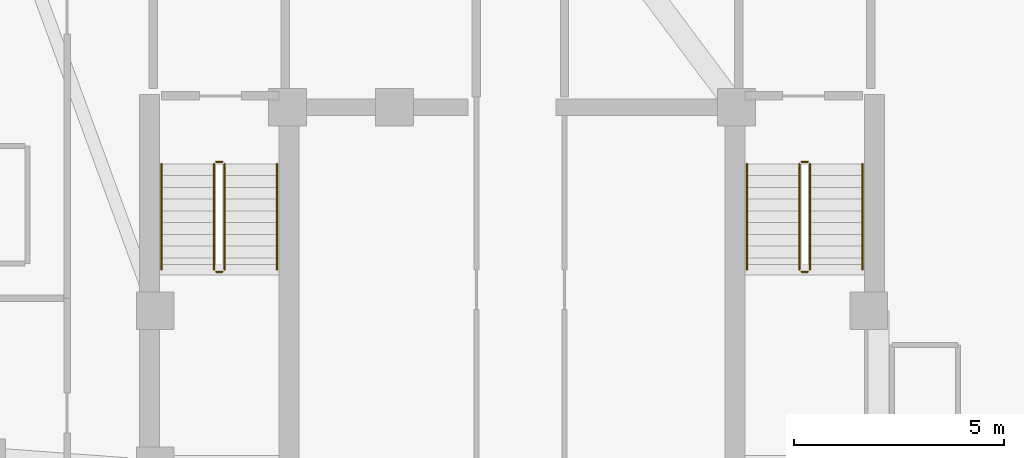
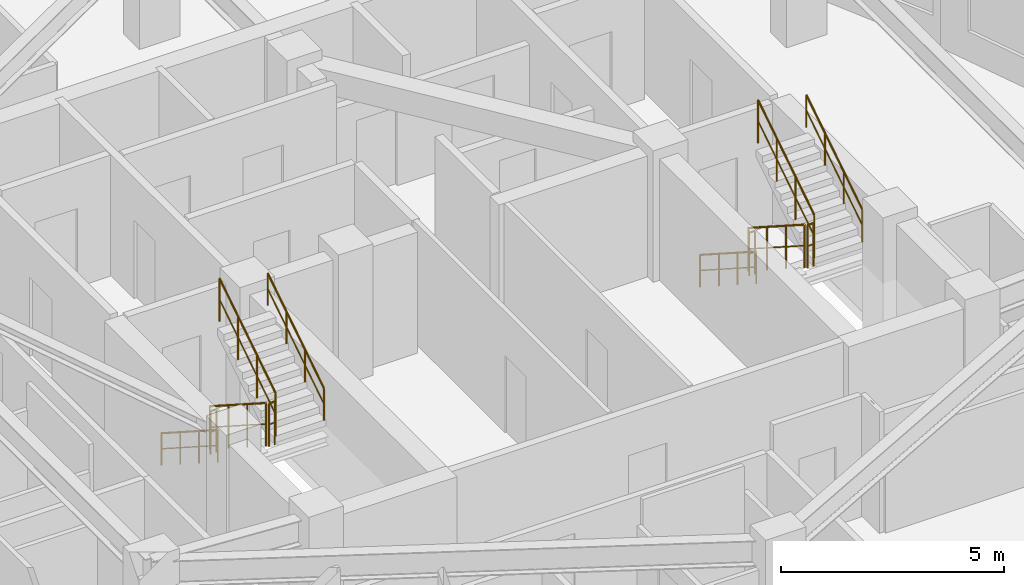
# One storey, part 12 of 12: 12 railings.
"""IFC4 building model written with IfcOpenShell, lengths in metres."""

from ifc_helpers import new_model, si_unit, direction, frame, origin, origin_2d, place, context, subcontext, project, spatial, circle, extrude, material, type_object, element, save


model = new_model("IFC4")

# Units and contexts
model_context = context("Model", 3, precision=1e-05, world=origin(), true_north=direction((0.0, 1.0)))
body_context = subcontext(model_context, "Body", "Model", "MODEL_VIEW")
ifc_project = project(units=[si_unit("LENGTHUNIT", "METRE"), si_unit("AREAUNIT", "SQUARE_METRE"), si_unit("VOLUMEUNIT", "CUBIC_METRE"), si_unit("PLANEANGLEUNIT", "RADIAN"), si_unit("MASSUNIT", "GRAM", prefix="KILO")], contexts=[model_context])

# Site, building, storey
site_placement = place(None, origin())
site = spatial("IfcSite", under=ifc_project, at=site_placement, CompositionType="ELEMENT")
building_placement = place(site_placement, origin())
building = spatial("IfcBuilding", under=site, at=building_placement, Name="Miruveldt Soraemaru", CompositionType="ELEMENT")
storey_placement = place(building_placement, frame((0.0, 0.0, 248.39990234375)))
storey = spatial("IfcBuildingStorey", under=building, at=storey_placement, Name="L68", CompositionType="ELEMENT", Elevation=248.39990234375)

# Railings
ifc_material = material(Name="Steel S355 (355 MPa)", Category="steel")
railing_type_1 = type_object("IfcRailingType", Name="RAIL-HR-900", PredefinedType="HANDRAIL", material=ifc_material)
railing_1_placement = place(storey_placement, frame((35.64990234375, 42.699951171875, 0.18017578125)))
element("IfcRailing", 1, at=railing_1_placement, inside=storey, type_object=railing_type_1, Name="L68 ST-1 stair handrail 1", PredefinedType="HANDRAIL", context=body_context, shape_type="SweptSolid", body=[
    extrude(circle(Radius=0.02392578125, at=origin_2d()), frame((0.0, 0.0, 0.8759765625), z_axis=(0.0, -0.841199657755, 0.540724639528), x_axis=(1.0, 0.0, 0.0)), (0.0, 0.0, 1.0), 2.995849609375),
    extrude(circle(Radius=0.01611328125, at=origin_2d()), frame((0.0, 0.0, 0.449951171875), z_axis=(0.0, -0.841199657755, 0.540724639528), x_axis=(1.0, 0.0, 0.0)), (0.0, 0.0, 1.0), 2.995849609375),
    extrude(circle(Radius=0.02099609375, at=origin_2d()), origin(), (0.0, 0.0, 1.0), 0.851806640625),
    extrude(circle(Radius=0.02099609375, at=origin_2d()), frame((0.0, -0.840087890625, 0.5400390625)), (0.0, 0.0, 1.0), 0.851806640625),
    extrude(circle(Radius=0.02099609375, at=origin_2d()), frame((0.0, -1.679931640625, 1.079833984375)), (0.0, 0.0, 1.0), 0.851806640625),
    extrude(circle(Radius=0.02099609375, at=origin_2d()), frame((0.0, -2.52001953125, 1.619873046875)), (0.0, 0.0, 1.0), 0.851806640625),
])
railing_2_placement = place(storey_placement, frame((38.39990234375, 40.179931640625, 1.97998046875)))
element("IfcRailing", 2, at=railing_2_placement, inside=storey, type_object=railing_type_1, Name="L68 ST-1 stair handrail 2", PredefinedType="HANDRAIL", context=body_context, shape_type="SweptSolid", body=[
    extrude(circle(Radius=0.02392578125, at=origin_2d()), frame((0.0, 0.0, 0.8759765625), z_axis=(0.0, 0.841162588446, 0.540782303519), x_axis=(-1.0, 0.0, 0.0)), (0.0, 0.0, 1.0), 2.995849609375),
    extrude(circle(Radius=0.01611328125, at=origin_2d()), frame((0.0, 0.0, 0.449951171875), z_axis=(0.0, 0.841162588446, 0.540782303519), x_axis=(-1.0, 0.0, 0.0)), (0.0, 0.0, 1.0), 2.995849609375),
    extrude(circle(Radius=0.02099609375, at=origin_2d()), origin(), (0.0, 0.0, 1.0), 0.851806640625),
    extrude(circle(Radius=0.02099609375, at=origin_2d()), frame((0.0, 0.840087890625, 0.5400390625)), (0.0, 0.0, 1.0), 0.851806640625),
    extrude(circle(Radius=0.02099609375, at=origin_2d()), frame((0.0, 1.679931640625, 1.080078125)), (0.0, 0.0, 1.0), 0.851806640625),
    extrude(circle(Radius=0.02099609375, at=origin_2d()), frame((0.0, 2.52001953125, 1.6201171875)), (0.0, 0.0, 1.0), 0.851806640625),
])
railing_3_placement = place(storey_placement, frame((49.60009765625, 42.699951171875, 0.18017578125)))
element("IfcRailing", 3, at=railing_3_placement, inside=storey, type_object=railing_type_1, Name="L68 ST-2 stair handrail 1", PredefinedType="HANDRAIL", context=body_context, shape_type="SweptSolid", body=[
    extrude(circle(Radius=0.02392578125, at=origin_2d()), frame((0.0, 0.0, 0.8759765625), z_axis=(0.0, -0.841199657755, 0.540724639528), x_axis=(1.0, 0.0, 0.0)), (0.0, 0.0, 1.0), 2.995849609375),
    extrude(circle(Radius=0.01611328125, at=origin_2d()), frame((0.0, 0.0, 0.449951171875), z_axis=(0.0, -0.841199657755, 0.540724639528), x_axis=(1.0, 0.0, 0.0)), (0.0, 0.0, 1.0), 2.995849609375),
    extrude(circle(Radius=0.02099609375, at=origin_2d()), origin(), (0.0, 0.0, 1.0), 0.851806640625),
    extrude(circle(Radius=0.02099609375, at=origin_2d()), frame((0.0, -0.840087890625, 0.5400390625)), (0.0, 0.0, 1.0), 0.851806640625),
    extrude(circle(Radius=0.02099609375, at=origin_2d()), frame((0.0, -1.679931640625, 1.079833984375)), (0.0, 0.0, 1.0), 0.851806640625),
    extrude(circle(Radius=0.02099609375, at=origin_2d()), frame((0.0, -2.52001953125, 1.619873046875)), (0.0, 0.0, 1.0), 0.851806640625),
])
railing_4_placement = place(storey_placement, frame((52.35009765625, 40.179931640625, 1.97998046875)))
element("IfcRailing", 4, at=railing_4_placement, inside=storey, type_object=railing_type_1, Name="L68 ST-2 stair handrail 2", PredefinedType="HANDRAIL", context=body_context, shape_type="SweptSolid", body=[
    extrude(circle(Radius=0.02392578125, at=origin_2d()), frame((0.0, 0.0, 0.8759765625), z_axis=(0.0, 0.841162588446, 0.540782303519), x_axis=(-1.0, 0.0, 0.0)), (0.0, 0.0, 1.0), 2.995849609375),
    extrude(circle(Radius=0.01611328125, at=origin_2d()), frame((0.0, 0.0, 0.449951171875), z_axis=(0.0, 0.841162588446, 0.540782303519), x_axis=(-1.0, 0.0, 0.0)), (0.0, 0.0, 1.0), 2.995849609375),
    extrude(circle(Radius=0.02099609375, at=origin_2d()), origin(), (0.0, 0.0, 1.0), 0.851806640625),
    extrude(circle(Radius=0.02099609375, at=origin_2d()), frame((0.0, 0.840087890625, 0.5400390625)), (0.0, 0.0, 1.0), 0.851806640625),
    extrude(circle(Radius=0.02099609375, at=origin_2d()), frame((0.0, 1.679931640625, 1.080078125)), (0.0, 0.0, 1.0), 0.851806640625),
    extrude(circle(Radius=0.02099609375, at=origin_2d()), frame((0.0, 2.52001953125, 1.6201171875)), (0.0, 0.0, 1.0), 0.851806640625),
])
railing_type_2 = type_object("IfcRailingType", Name="RAIL-STGUARD-1200", PredefinedType="GUARDRAIL", material=ifc_material)
railing_5_placement = place(storey_placement, frame((36.89990234375, 42.699951171875, 0.18017578125)))
element("IfcRailing", 5, at=railing_5_placement, inside=storey, type_object=railing_type_2, Name="L68 ST-1 stair guard 1", PredefinedType="GUARDRAIL", context=body_context, shape_type="SweptSolid", body=[
    extrude(circle(Radius=0.02392578125, at=origin_2d()), frame((0.0, 0.0, 1.17578125), z_axis=(0.0, -0.841199657755, 0.540724639528), x_axis=(1.0, 0.0, 0.0)), (0.0, 0.0, 1.0), 2.995849609375),
    extrude(circle(Radius=0.01611328125, at=origin_2d()), frame((0.0, 0.0, 0.60009765625), z_axis=(0.0, -0.841199657755, 0.540724639528), x_axis=(1.0, 0.0, 0.0)), (0.0, 0.0, 1.0), 2.995849609375),
    extrude(circle(Radius=0.02099609375, at=origin_2d()), origin(), (0.0, 0.0, 1.0), 1.15185546875),
    extrude(circle(Radius=0.02099609375, at=origin_2d()), frame((0.0, -0.840087890625, 0.5400390625)), (0.0, 0.0, 1.0), 1.15185546875),
    extrude(circle(Radius=0.02099609375, at=origin_2d()), frame((0.0, -1.679931640625, 1.079833984375)), (0.0, 0.0, 1.0), 1.15185546875),
    extrude(circle(Radius=0.02099609375, at=origin_2d()), frame((0.0, -2.52001953125, 1.619873046875)), (0.0, 0.0, 1.0), 1.15185546875),
])
railing_6_placement = place(storey_placement, frame((36.949951171875, 40.1298828125, 1.800048828125)))
element("IfcRailing", 6, at=railing_6_placement, inside=storey, type_object=railing_type_2, Name="L68 ST-1 stair guard 2", PredefinedType="GUARDRAIL", context=body_context, shape_type="SweptSolid", body=[
    extrude(circle(Radius=0.02392578125, at=origin_2d()), frame((0.0, 0.0, 1.17578125), z_axis=(1.0, 0.0, 0.0), x_axis=(0.0, 1.0, 0.0)), (0.0, 0.0, 1.0), 0.150146484375),
    extrude(circle(Radius=0.01611328125, at=origin_2d()), frame((0.0, 0.0, 0.60009765625), z_axis=(1.0, 0.0, 0.0), x_axis=(0.0, 1.0, 0.0)), (0.0, 0.0, 1.0), 0.150146484375),
    extrude(circle(Radius=0.02099609375, at=origin_2d()), origin(), (0.0, 0.0, 1.0), 1.15185546875),
    extrude(circle(Radius=0.02099609375, at=origin_2d()), frame((0.150146484375, 0.0, 0.0)), (0.0, 0.0, 1.0), 1.15185546875),
])
railing_7_placement = place(storey_placement, frame((37.14990234375, 40.179931640625, 1.97998046875)))
element("IfcRailing", 7, at=railing_7_placement, inside=storey, type_object=railing_type_2, Name="L68 ST-1 stair guard 3", PredefinedType="GUARDRAIL", context=body_context, shape_type="SweptSolid", body=[
    extrude(circle(Radius=0.02392578125, at=origin_2d()), frame((0.0, 0.0, 1.17578125), z_axis=(0.0, 0.841162588446, 0.540782303519), x_axis=(-1.0, 0.0, 0.0)), (0.0, 0.0, 1.0), 2.995849609375),
    extrude(circle(Radius=0.01611328125, at=origin_2d()), frame((0.0, 0.0, 0.60009765625), z_axis=(0.0, 0.841162588446, 0.540782303519), x_axis=(-1.0, 0.0, 0.0)), (0.0, 0.0, 1.0), 2.995849609375),
    extrude(circle(Radius=0.02099609375, at=origin_2d()), origin(), (0.0, 0.0, 1.0), 1.15185546875),
    extrude(circle(Radius=0.02099609375, at=origin_2d()), frame((0.0, 0.840087890625, 0.5400390625)), (0.0, 0.0, 1.0), 1.15185546875),
    extrude(circle(Radius=0.02099609375, at=origin_2d()), frame((0.0, 1.679931640625, 1.080078125)), (0.0, 0.0, 1.0), 1.15185546875),
    extrude(circle(Radius=0.02099609375, at=origin_2d()), frame((0.0, 2.52001953125, 1.6201171875)), (0.0, 0.0, 1.0), 1.15185546875),
])
railing_8_placement = place(storey_placement, frame((36.949951171875, 42.75, 0.0)))
element("IfcRailing", 8, at=railing_8_placement, inside=storey, type_object=railing_type_2, Name="L68 ST-1 stair guard 4", PredefinedType="GUARDRAIL", context=body_context, shape_type="SweptSolid", body=[
    extrude(circle(Radius=0.02392578125, at=origin_2d()), frame((0.0, 0.0, 1.17578125), z_axis=(1.0, 0.0, 0.0), x_axis=(0.0, 1.0, 0.0)), (0.0, 0.0, 1.0), 0.150146484375),
    extrude(circle(Radius=0.01611328125, at=origin_2d()), frame((0.0, 0.0, 0.60009765625), z_axis=(1.0, 0.0, 0.0), x_axis=(0.0, 1.0, 0.0)), (0.0, 0.0, 1.0), 0.150146484375),
    extrude(circle(Radius=0.02099609375, at=origin_2d()), origin(), (0.0, 0.0, 1.0), 1.15185546875),
    extrude(circle(Radius=0.02099609375, at=origin_2d()), frame((0.150146484375, 0.0, 0.0)), (0.0, 0.0, 1.0), 1.15185546875),
])
railing_9_placement = place(storey_placement, frame((50.85009765625, 42.699951171875, 0.18017578125)))
element("IfcRailing", 9, at=railing_9_placement, inside=storey, type_object=railing_type_2, Name="L68 ST-2 stair guard 1", PredefinedType="GUARDRAIL", context=body_context, shape_type="SweptSolid", body=[
    extrude(circle(Radius=0.02392578125, at=origin_2d()), frame((0.0, 0.0, 1.17578125), z_axis=(0.0, -0.841199657755, 0.540724639528), x_axis=(1.0, 0.0, 0.0)), (0.0, 0.0, 1.0), 2.995849609375),
    extrude(circle(Radius=0.01611328125, at=origin_2d()), frame((0.0, 0.0, 0.60009765625), z_axis=(0.0, -0.841199657755, 0.540724639528), x_axis=(1.0, 0.0, 0.0)), (0.0, 0.0, 1.0), 2.995849609375),
    extrude(circle(Radius=0.02099609375, at=origin_2d()), origin(), (0.0, 0.0, 1.0), 1.15185546875),
    extrude(circle(Radius=0.02099609375, at=origin_2d()), frame((0.0, -0.840087890625, 0.5400390625)), (0.0, 0.0, 1.0), 1.15185546875),
    extrude(circle(Radius=0.02099609375, at=origin_2d()), frame((0.0, -1.679931640625, 1.079833984375)), (0.0, 0.0, 1.0), 1.15185546875),
    extrude(circle(Radius=0.02099609375, at=origin_2d()), frame((0.0, -2.52001953125, 1.619873046875)), (0.0, 0.0, 1.0), 1.15185546875),
])
railing_10_placement = place(storey_placement, frame((50.89990234375, 40.1298828125, 1.800048828125)))
element("IfcRailing", 10, at=railing_10_placement, inside=storey, type_object=railing_type_2, Name="L68 ST-2 stair guard 2", PredefinedType="GUARDRAIL", context=body_context, shape_type="SweptSolid", body=[
    extrude(circle(Radius=0.02392578125, at=origin_2d()), frame((0.0, 0.0, 1.17578125), z_axis=(1.0, 0.0, 0.0), x_axis=(0.0, 1.0, 0.0)), (0.0, 0.0, 1.0), 0.150146484375),
    extrude(circle(Radius=0.01611328125, at=origin_2d()), frame((0.0, 0.0, 0.60009765625), z_axis=(1.0, 0.0, 0.0), x_axis=(0.0, 1.0, 0.0)), (0.0, 0.0, 1.0), 0.150146484375),
    extrude(circle(Radius=0.02099609375, at=origin_2d()), origin(), (0.0, 0.0, 1.0), 1.15185546875),
    extrude(circle(Radius=0.02099609375, at=origin_2d()), frame((0.150146484375, 0.0, 0.0)), (0.0, 0.0, 1.0), 1.15185546875),
])
railing_11_placement = place(storey_placement, frame((51.10009765625, 40.179931640625, 1.97998046875)))
element("IfcRailing", 11, at=railing_11_placement, inside=storey, type_object=railing_type_2, Name="L68 ST-2 stair guard 3", PredefinedType="GUARDRAIL", context=body_context, shape_type="SweptSolid", body=[
    extrude(circle(Radius=0.02392578125, at=origin_2d()), frame((0.0, 0.0, 1.17578125), z_axis=(0.0, 0.841162588446, 0.540782303519), x_axis=(-1.0, 0.0, 0.0)), (0.0, 0.0, 1.0), 2.995849609375),
    extrude(circle(Radius=0.01611328125, at=origin_2d()), frame((0.0, 0.0, 0.60009765625), z_axis=(0.0, 0.841162588446, 0.540782303519), x_axis=(-1.0, 0.0, 0.0)), (0.0, 0.0, 1.0), 2.995849609375),
    extrude(circle(Radius=0.02099609375, at=origin_2d()), origin(), (0.0, 0.0, 1.0), 1.15185546875),
    extrude(circle(Radius=0.02099609375, at=origin_2d()), frame((0.0, 0.840087890625, 0.5400390625)), (0.0, 0.0, 1.0), 1.15185546875),
    extrude(circle(Radius=0.02099609375, at=origin_2d()), frame((0.0, 1.679931640625, 1.080078125)), (0.0, 0.0, 1.0), 1.15185546875),
    extrude(circle(Radius=0.02099609375, at=origin_2d()), frame((0.0, 2.52001953125, 1.6201171875)), (0.0, 0.0, 1.0), 1.15185546875),
])
railing_12_placement = place(storey_placement, frame((50.89990234375, 42.75, 0.0)))
element("IfcRailing", 12, at=railing_12_placement, inside=storey, type_object=railing_type_2, Name="L68 ST-2 stair guard 4", PredefinedType="GUARDRAIL", context=body_context, shape_type="SweptSolid", body=[
    extrude(circle(Radius=0.02392578125, at=origin_2d()), frame((0.0, 0.0, 1.17578125), z_axis=(1.0, 0.0, 0.0), x_axis=(0.0, 1.0, 0.0)), (0.0, 0.0, 1.0), 0.150146484375),
    extrude(circle(Radius=0.01611328125, at=origin_2d()), frame((0.0, 0.0, 0.60009765625), z_axis=(1.0, 0.0, 0.0), x_axis=(0.0, 1.0, 0.0)), (0.0, 0.0, 1.0), 0.150146484375),
    extrude(circle(Radius=0.02099609375, at=origin_2d()), origin(), (0.0, 0.0, 1.0), 1.15185546875),
    extrude(circle(Radius=0.02099609375, at=origin_2d()), frame((0.150146484375, 0.0, 0.0)), (0.0, 0.0, 1.0), 1.15185546875),
])

save(model, "model.ifc")
